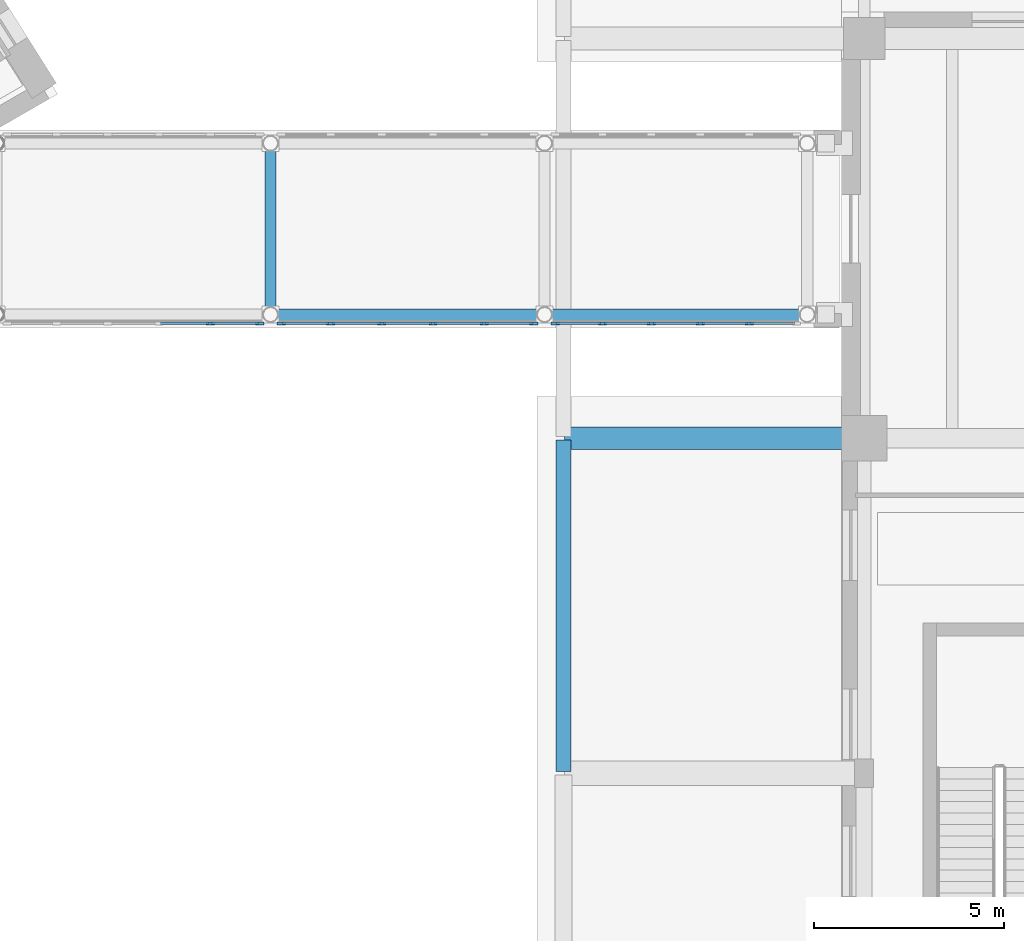
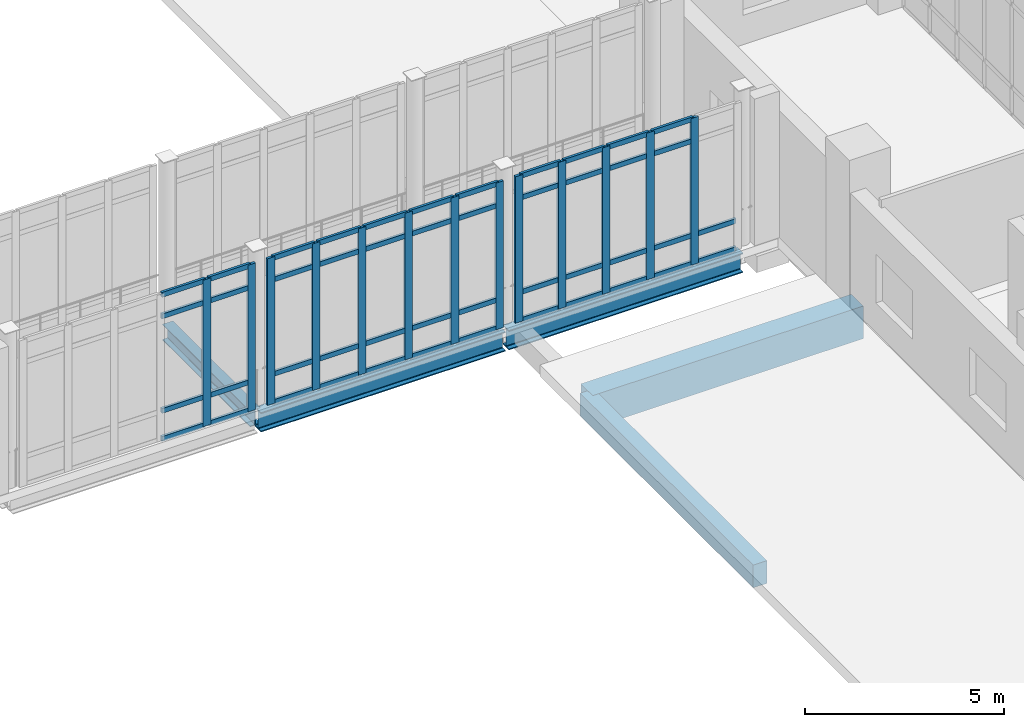
# One storey, part 27 of 75: 59 members, 5 beams, 3 elements without a shape of their own.
"""IFC4 building model written with IfcOpenShell, lengths in metres."""

from ifc_helpers import new_model, si_unit, direction, frame, origin, origin_2d, place, context, subcontext, project, spatial, rectangle, i_section, extrude, material, material_profile, profile_set, type_object, element, aggregate, save


model = new_model("IFC4")

# Units and contexts
model_context = context("Model", 3, precision=1e-05, world=origin(), true_north=direction((0.0, 1.0)))
body_context = subcontext(model_context, "Body", "Model", "MODEL_VIEW")
ifc_project = project(units=[si_unit("LENGTHUNIT", "METRE"), si_unit("AREAUNIT", "SQUARE_METRE"), si_unit("VOLUMEUNIT", "CUBIC_METRE"), si_unit("PLANEANGLEUNIT", "RADIAN"), si_unit("MASSUNIT", "GRAM", prefix="KILO")], contexts=[model_context])

# Site, building, storey
site_placement = place(None, origin())
site = spatial("IfcSite", under=ifc_project, at=site_placement, CompositionType="ELEMENT")
building_placement = place(site_placement, origin())
building = spatial("IfcBuilding", under=site, at=building_placement, Name="Soyqirgoq Riverine Aquarium", CompositionType="ELEMENT")
storey_placement = place(building_placement, frame((0.0, 0.0, 10.199951171875)))
storey = spatial("IfcBuildingStorey", under=building, at=storey_placement, Name="L03", CompositionType="ELEMENT", Elevation=10.199951171875)

# Beam
ifc_material_1 = material(Name="Concrete C40/50", Category="concrete")
ifc_material_profile_1 = material_profile(ifc_material_1, rectangle(XDim=0.39990234375, YDim=0.699951171875, at=origin_2d()), Name="RC 400x700")
ifc_profile_set_1 = profile_set([ifc_material_profile_1], Name="Concrete C40/50")
beam_type_1 = type_object("IfcBeamType", Name="Beam_RC_400x700", PredefinedType="BEAM", material=ifc_profile_set_1)
beam_1_placement = place(storey_placement, frame((114.699951171875, 65.550048828125, -0.699951171875), z_axis=(0.0, 1.0, 0.0), x_axis=(-1.0, 0.0, 0.0)))
element("IfcBeam", 1, at=beam_1_placement, inside=storey, type_object=beam_type_1, Name="V7 L03 North-South Frame Beam 1359", PredefinedType="BEAM", context=body_context, shape_type="SweptSolid", body=[
    extrude(rectangle(XDim=0.39990234375, YDim=0.699951171875, at=origin_2d()), origin(), (0.0, 0.0, 1.0), 8.699951171875),
])

# Curtain wall, members
ifc_material_2 = material(Name="Laminated solar-control bridge curtain wall", Category="aluminium")
curtain_wall_type = type_object("IfcCurtainWallType", Name="CW_Bridge_Concourse", PredefinedType="NOTDEFINED", material=ifc_material_2)
curtain_wall_1_placement = place(storey_placement, origin())
curtain_wall_1 = element("IfcCurtainWall", 2, at=curtain_wall_1_placement, inside=storey, type_object=curtain_wall_type, Name="BR-2 L03 Curtain Wall 141", PredefinedType="NOTDEFINED")
ifc_material_3 = material(Name="Anodised aluminium 6063-T6", Category="aluminium")
ifc_material_profile_2 = material_profile(ifc_material_3, rectangle(XDim=0.080078125, YDim=0.219970703125, at=origin_2d()), Name="ALU-M 80x220")
ifc_profile_set_2 = profile_set([ifc_material_profile_2], Name="Anodised aluminium 6063-T6")
member_type_1 = type_object("IfcMemberType", Name="CWMullion_80x220", PredefinedType="MULLION", material=ifc_profile_set_2)
member_1_placement = place(storey_placement, frame((105.416015625, 77.320068359375, 0.0), z_axis=(0.0, 0.0, 1.0), x_axis=(0.0, 1.0, 0.0)))
member_1 = element("IfcMember", 3, at=member_1_placement, type_object=member_type_1, Name="CW-06 mullion 5", PredefinedType="MULLION", context=body_context, shape_type="SweptSolid", body=[
    extrude(rectangle(XDim=0.080078125, YDim=0.219970703125, at=origin_2d()), origin(), (0.0, 0.0, 1.0), 4.5),
])
member_2_placement = place(storey_placement, frame((106.719970703125, 77.320068359375, 0.0), z_axis=(0.0, 0.0, 1.0), x_axis=(0.0, 1.0, 0.0)))
member_2 = element("IfcMember", 4, at=member_2_placement, type_object=member_type_1, Name="CW-06 mullion 6", PredefinedType="MULLION", context=body_context, shape_type="SweptSolid", body=[
    extrude(rectangle(XDim=0.080078125, YDim=0.219970703125, at=origin_2d()), origin(), (0.0, 0.0, 1.0), 4.5),
])

curtain_wall_2_placement = place(storey_placement, origin())
curtain_wall_2 = element("IfcCurtainWall", 5, at=curtain_wall_2_placement, inside=storey, type_object=curtain_wall_type, Name="BR-2 L03 Curtain Wall 142", PredefinedType="NOTDEFINED")
member_3_placement = place(storey_placement, frame((107.280029296875, 77.320068359375, 0.0), z_axis=(0.0, 0.0, 1.0), x_axis=(0.0, 1.0, 0.0)))
member_3 = element("IfcMember", 6, at=member_3_placement, type_object=member_type_1, Name="CW-06 mullion 1", PredefinedType="MULLION", context=body_context, shape_type="SweptSolid", body=[
    extrude(rectangle(XDim=0.080078125, YDim=0.219970703125, at=origin_2d()), origin(), (0.0, 0.0, 1.0), 4.5),
])
member_4_placement = place(storey_placement, frame((108.583984375, 77.320068359375, 0.0), z_axis=(0.0, 0.0, 1.0), x_axis=(0.0, 1.0, 0.0)))
member_4 = element("IfcMember", 7, at=member_4_placement, type_object=member_type_1, Name="CW-06 mullion 2", PredefinedType="MULLION", context=body_context, shape_type="SweptSolid", body=[
    extrude(rectangle(XDim=0.080078125, YDim=0.219970703125, at=origin_2d()), origin(), (0.0, 0.0, 1.0), 4.5),
])
member_5_placement = place(storey_placement, frame((109.927978515625, 77.320068359375, 0.0), z_axis=(0.0, 0.0, 1.0), x_axis=(0.0, 1.0, 0.0)))
member_5 = element("IfcMember", 8, at=member_5_placement, type_object=member_type_1, Name="CW-06 mullion 3", PredefinedType="MULLION", context=body_context, shape_type="SweptSolid", body=[
    extrude(rectangle(XDim=0.080078125, YDim=0.219970703125, at=origin_2d()), origin(), (0.0, 0.0, 1.0), 4.5),
])
member_6_placement = place(storey_placement, frame((111.27197265625, 77.320068359375, 0.0), z_axis=(0.0, 0.0, 1.0), x_axis=(0.0, 1.0, 0.0)))
member_6 = element("IfcMember", 9, at=member_6_placement, type_object=member_type_1, Name="CW-06 mullion 4", PredefinedType="MULLION", context=body_context, shape_type="SweptSolid", body=[
    extrude(rectangle(XDim=0.080078125, YDim=0.219970703125, at=origin_2d()), origin(), (0.0, 0.0, 1.0), 4.5),
])
member_7_placement = place(storey_placement, frame((112.615966796875, 77.320068359375, 0.0), z_axis=(0.0, 0.0, 1.0), x_axis=(0.0, 1.0, 0.0)))
member_7 = element("IfcMember", 10, at=member_7_placement, type_object=member_type_1, Name="CW-06 mullion 5", PredefinedType="MULLION", context=body_context, shape_type="SweptSolid", body=[
    extrude(rectangle(XDim=0.080078125, YDim=0.219970703125, at=origin_2d()), origin(), (0.0, 0.0, 1.0), 4.5),
])
member_8_placement = place(storey_placement, frame((113.919921875, 77.320068359375, 0.0), z_axis=(0.0, 0.0, 1.0), x_axis=(0.0, 1.0, 0.0)))
member_8 = element("IfcMember", 11, at=member_8_placement, type_object=member_type_1, Name="CW-06 mullion 6", PredefinedType="MULLION", context=body_context, shape_type="SweptSolid", body=[
    extrude(rectangle(XDim=0.080078125, YDim=0.219970703125, at=origin_2d()), origin(), (0.0, 0.0, 1.0), 4.5),
])

curtain_wall_3_placement = place(storey_placement, origin())
curtain_wall_3 = element("IfcCurtainWall", 12, at=curtain_wall_3_placement, inside=storey, type_object=curtain_wall_type, Name="BR-2 L03 Curtain Wall 143", PredefinedType="NOTDEFINED")
member_9_placement = place(storey_placement, frame((114.47998046875, 77.320068359375, 0.0), z_axis=(0.0, 0.0, 1.0), x_axis=(0.0, 1.0, 0.0)))
member_9 = element("IfcMember", 13, at=member_9_placement, type_object=member_type_1, Name="CW-06 mullion 1", PredefinedType="MULLION", context=body_context, shape_type="SweptSolid", body=[
    extrude(rectangle(XDim=0.080078125, YDim=0.219970703125, at=origin_2d()), origin(), (0.0, 0.0, 1.0), 4.5),
])
member_10_placement = place(storey_placement, frame((115.72412109375, 77.320068359375, 0.0), z_axis=(0.0, 0.0, 1.0), x_axis=(0.0, 1.0, 0.0)))
member_10 = element("IfcMember", 14, at=member_10_placement, type_object=member_type_1, Name="CW-06 mullion 2", PredefinedType="MULLION", context=body_context, shape_type="SweptSolid", body=[
    extrude(rectangle(XDim=0.080078125, YDim=0.219970703125, at=origin_2d()), origin(), (0.0, 0.0, 1.0), 4.5),
])
member_11_placement = place(storey_placement, frame((117.008056640625, 77.320068359375, 0.0), z_axis=(0.0, 0.0, 1.0), x_axis=(0.0, 1.0, 0.0)))
member_11 = element("IfcMember", 15, at=member_11_placement, type_object=member_type_1, Name="CW-06 mullion 3", PredefinedType="MULLION", context=body_context, shape_type="SweptSolid", body=[
    extrude(rectangle(XDim=0.080078125, YDim=0.219970703125, at=origin_2d()), origin(), (0.0, 0.0, 1.0), 4.5),
])
member_12_placement = place(storey_placement, frame((118.2919921875, 77.320068359375, 0.0), z_axis=(0.0, 0.0, 1.0), x_axis=(0.0, 1.0, 0.0)))
member_12 = element("IfcMember", 16, at=member_12_placement, type_object=member_type_1, Name="CW-06 mullion 4", PredefinedType="MULLION", context=body_context, shape_type="SweptSolid", body=[
    extrude(rectangle(XDim=0.080078125, YDim=0.219970703125, at=origin_2d()), origin(), (0.0, 0.0, 1.0), 4.5),
])
member_13_placement = place(storey_placement, frame((119.575927734375, 77.320068359375, 0.0), z_axis=(0.0, 0.0, 1.0), x_axis=(0.0, 1.0, 0.0)))
member_13 = element("IfcMember", 17, at=member_13_placement, type_object=member_type_1, Name="CW-06 mullion 5", PredefinedType="MULLION", context=body_context, shape_type="SweptSolid", body=[
    extrude(rectangle(XDim=0.080078125, YDim=0.219970703125, at=origin_2d()), origin(), (0.0, 0.0, 1.0), 4.5),
])

# Member
ifc_material_4 = material(Name="Anodised aluminium 6063-T6", Category="aluminium")
ifc_material_profile_3 = material_profile(ifc_material_4, rectangle(XDim=0.074951171875, YDim=0.14990234375, at=origin_2d()), Name="ALU-T 75x150")
ifc_profile_set_3 = profile_set([ifc_material_profile_3], Name="Anodised aluminium 6063-T6")
member_type_2 = type_object("IfcMemberType", Name="CWTransom_75x150", PredefinedType="USERDEFINED", material=ifc_profile_set_3)
member_14_placement = place(storey_placement, frame((104.112060546875, 77.320068359375, 0.03759765625), z_axis=(1.0, 0.0, 0.0), x_axis=(0.0, 1.0, 0.0)))
member_14 = element("IfcMember", 18, at=member_14_placement, type_object=member_type_2, Name="CW-06 transom 4.1", ObjectType="TRANSOM", PredefinedType="USERDEFINED", context=body_context, shape_type="SweptSolid", body=[
    extrude(rectangle(XDim=0.074951171875, YDim=0.14990234375, at=origin_2d()), origin(), (0.0, 0.0, 1.0), 1.263916015625),
])

member_15_placement = place(storey_placement, frame((104.112060546875, 77.320068359375, 0.900146484375), z_axis=(1.0, 0.0, 0.0), x_axis=(0.0, 1.0, 0.0)))
member_15 = element("IfcMember", 19, at=member_15_placement, type_object=member_type_2, Name="CW-06 transom 4.2", ObjectType="TRANSOM", PredefinedType="USERDEFINED", context=body_context, shape_type="SweptSolid", body=[
    extrude(rectangle(XDim=0.074951171875, YDim=0.14990234375, at=origin_2d()), origin(), (0.0, 0.0, 1.0), 1.263916015625),
])

member_16_placement = place(storey_placement, frame((104.112060546875, 77.320068359375, 3.800048828125), z_axis=(1.0, 0.0, 0.0), x_axis=(0.0, 1.0, 0.0)))
member_16 = element("IfcMember", 20, at=member_16_placement, type_object=member_type_2, Name="CW-06 transom 4.3", ObjectType="TRANSOM", PredefinedType="USERDEFINED", context=body_context, shape_type="SweptSolid", body=[
    extrude(rectangle(XDim=0.074951171875, YDim=0.14990234375, at=origin_2d()), origin(), (0.0, 0.0, 1.0), 1.263916015625),
])

member_17_placement = place(storey_placement, frame((104.112060546875, 77.320068359375, 4.462646484375), z_axis=(1.0, 0.0, 0.0), x_axis=(0.0, 1.0, 0.0)))
member_17 = element("IfcMember", 21, at=member_17_placement, type_object=member_type_2, Name="CW-06 transom 4.4", ObjectType="TRANSOM", PredefinedType="USERDEFINED", context=body_context, shape_type="SweptSolid", body=[
    extrude(rectangle(XDim=0.074951171875, YDim=0.14990234375, at=origin_2d()), origin(), (0.0, 0.0, 1.0), 1.263916015625),
])

member_18_placement = place(storey_placement, frame((105.4560546875, 77.320068359375, 0.03759765625), z_axis=(1.0, 0.0, 0.0), x_axis=(0.0, 1.0, 0.0)))
member_18 = element("IfcMember", 22, at=member_18_placement, type_object=member_type_2, Name="CW-06 transom 5.1", ObjectType="TRANSOM", PredefinedType="USERDEFINED", context=body_context, shape_type="SweptSolid", body=[
    extrude(rectangle(XDim=0.074951171875, YDim=0.14990234375, at=origin_2d()), origin(), (0.0, 0.0, 1.0), 1.223876953125),
])

member_19_placement = place(storey_placement, frame((105.4560546875, 77.320068359375, 0.900146484375), z_axis=(1.0, 0.0, 0.0), x_axis=(0.0, 1.0, 0.0)))
member_19 = element("IfcMember", 23, at=member_19_placement, type_object=member_type_2, Name="CW-06 transom 5.2", ObjectType="TRANSOM", PredefinedType="USERDEFINED", context=body_context, shape_type="SweptSolid", body=[
    extrude(rectangle(XDim=0.074951171875, YDim=0.14990234375, at=origin_2d()), origin(), (0.0, 0.0, 1.0), 1.223876953125),
])

member_20_placement = place(storey_placement, frame((105.4560546875, 77.320068359375, 3.800048828125), z_axis=(1.0, 0.0, 0.0), x_axis=(0.0, 1.0, 0.0)))
member_20 = element("IfcMember", 24, at=member_20_placement, type_object=member_type_2, Name="CW-06 transom 5.3", ObjectType="TRANSOM", PredefinedType="USERDEFINED", context=body_context, shape_type="SweptSolid", body=[
    extrude(rectangle(XDim=0.074951171875, YDim=0.14990234375, at=origin_2d()), origin(), (0.0, 0.0, 1.0), 1.223876953125),
])

member_21_placement = place(storey_placement, frame((105.4560546875, 77.320068359375, 4.462646484375), z_axis=(1.0, 0.0, 0.0), x_axis=(0.0, 1.0, 0.0)))
member_21 = element("IfcMember", 25, at=member_21_placement, type_object=member_type_2, Name="CW-06 transom 5.4", ObjectType="TRANSOM", PredefinedType="USERDEFINED", context=body_context, shape_type="SweptSolid", body=[
    extrude(rectangle(XDim=0.074951171875, YDim=0.14990234375, at=origin_2d()), origin(), (0.0, 0.0, 1.0), 1.223876953125),
])

aggregate(curtain_wall_1, [member_1, member_2, member_14, member_15, member_16, member_17, member_18, member_19, member_20, member_21])

member_22_placement = place(storey_placement, frame((107.320068359375, 77.320068359375, 0.03759765625), z_axis=(1.0, 0.0, 0.0), x_axis=(0.0, 1.0, 0.0)))
member_22 = element("IfcMember", 26, at=member_22_placement, type_object=member_type_2, Name="CW-06 transom 1.1", ObjectType="TRANSOM", PredefinedType="USERDEFINED", context=body_context, shape_type="SweptSolid", body=[
    extrude(rectangle(XDim=0.074951171875, YDim=0.14990234375, at=origin_2d()), origin(), (0.0, 0.0, 1.0), 1.223876953125),
])

member_23_placement = place(storey_placement, frame((107.320068359375, 77.320068359375, 0.900146484375), z_axis=(1.0, 0.0, 0.0), x_axis=(0.0, 1.0, 0.0)))
member_23 = element("IfcMember", 27, at=member_23_placement, type_object=member_type_2, Name="CW-06 transom 1.2", ObjectType="TRANSOM", PredefinedType="USERDEFINED", context=body_context, shape_type="SweptSolid", body=[
    extrude(rectangle(XDim=0.074951171875, YDim=0.14990234375, at=origin_2d()), origin(), (0.0, 0.0, 1.0), 1.223876953125),
])

member_24_placement = place(storey_placement, frame((107.320068359375, 77.320068359375, 3.800048828125), z_axis=(1.0, 0.0, 0.0), x_axis=(0.0, 1.0, 0.0)))
member_24 = element("IfcMember", 28, at=member_24_placement, type_object=member_type_2, Name="CW-06 transom 1.3", ObjectType="TRANSOM", PredefinedType="USERDEFINED", context=body_context, shape_type="SweptSolid", body=[
    extrude(rectangle(XDim=0.074951171875, YDim=0.14990234375, at=origin_2d()), origin(), (0.0, 0.0, 1.0), 1.223876953125),
])

member_25_placement = place(storey_placement, frame((107.320068359375, 77.320068359375, 4.462646484375), z_axis=(1.0, 0.0, 0.0), x_axis=(0.0, 1.0, 0.0)))
member_25 = element("IfcMember", 29, at=member_25_placement, type_object=member_type_2, Name="CW-06 transom 1.4", ObjectType="TRANSOM", PredefinedType="USERDEFINED", context=body_context, shape_type="SweptSolid", body=[
    extrude(rectangle(XDim=0.074951171875, YDim=0.14990234375, at=origin_2d()), origin(), (0.0, 0.0, 1.0), 1.223876953125),
])

member_26_placement = place(storey_placement, frame((108.6240234375, 77.320068359375, 0.03759765625), z_axis=(1.0, 0.0, 0.0), x_axis=(0.0, 1.0, 0.0)))
member_26 = element("IfcMember", 30, at=member_26_placement, type_object=member_type_2, Name="CW-06 transom 2.1", ObjectType="TRANSOM", PredefinedType="USERDEFINED", context=body_context, shape_type="SweptSolid", body=[
    extrude(rectangle(XDim=0.074951171875, YDim=0.14990234375, at=origin_2d()), origin(), (0.0, 0.0, 1.0), 1.263916015625),
])

member_27_placement = place(storey_placement, frame((108.6240234375, 77.320068359375, 0.900146484375), z_axis=(1.0, 0.0, 0.0), x_axis=(0.0, 1.0, 0.0)))
member_27 = element("IfcMember", 31, at=member_27_placement, type_object=member_type_2, Name="CW-06 transom 2.2", ObjectType="TRANSOM", PredefinedType="USERDEFINED", context=body_context, shape_type="SweptSolid", body=[
    extrude(rectangle(XDim=0.074951171875, YDim=0.14990234375, at=origin_2d()), origin(), (0.0, 0.0, 1.0), 1.263916015625),
])

member_28_placement = place(storey_placement, frame((108.6240234375, 77.320068359375, 3.800048828125), z_axis=(1.0, 0.0, 0.0), x_axis=(0.0, 1.0, 0.0)))
member_28 = element("IfcMember", 32, at=member_28_placement, type_object=member_type_2, Name="CW-06 transom 2.3", ObjectType="TRANSOM", PredefinedType="USERDEFINED", context=body_context, shape_type="SweptSolid", body=[
    extrude(rectangle(XDim=0.074951171875, YDim=0.14990234375, at=origin_2d()), origin(), (0.0, 0.0, 1.0), 1.263916015625),
])

member_29_placement = place(storey_placement, frame((108.6240234375, 77.320068359375, 4.462646484375), z_axis=(1.0, 0.0, 0.0), x_axis=(0.0, 1.0, 0.0)))
member_29 = element("IfcMember", 33, at=member_29_placement, type_object=member_type_2, Name="CW-06 transom 2.4", ObjectType="TRANSOM", PredefinedType="USERDEFINED", context=body_context, shape_type="SweptSolid", body=[
    extrude(rectangle(XDim=0.074951171875, YDim=0.14990234375, at=origin_2d()), origin(), (0.0, 0.0, 1.0), 1.263916015625),
])

member_30_placement = place(storey_placement, frame((109.968017578125, 77.320068359375, 0.03759765625), z_axis=(1.0, 0.0, 0.0), x_axis=(0.0, 1.0, 0.0)))
member_30 = element("IfcMember", 34, at=member_30_placement, type_object=member_type_2, Name="CW-06 transom 3.1", ObjectType="TRANSOM", PredefinedType="USERDEFINED", context=body_context, shape_type="SweptSolid", body=[
    extrude(rectangle(XDim=0.074951171875, YDim=0.14990234375, at=origin_2d()), origin(), (0.0, 0.0, 1.0), 1.263916015625),
])

member_31_placement = place(storey_placement, frame((109.968017578125, 77.320068359375, 0.900146484375), z_axis=(1.0, 0.0, 0.0), x_axis=(0.0, 1.0, 0.0)))
member_31 = element("IfcMember", 35, at=member_31_placement, type_object=member_type_2, Name="CW-06 transom 3.2", ObjectType="TRANSOM", PredefinedType="USERDEFINED", context=body_context, shape_type="SweptSolid", body=[
    extrude(rectangle(XDim=0.074951171875, YDim=0.14990234375, at=origin_2d()), origin(), (0.0, 0.0, 1.0), 1.263916015625),
])

member_32_placement = place(storey_placement, frame((109.968017578125, 77.320068359375, 3.800048828125), z_axis=(1.0, 0.0, 0.0), x_axis=(0.0, 1.0, 0.0)))
member_32 = element("IfcMember", 36, at=member_32_placement, type_object=member_type_2, Name="CW-06 transom 3.3", ObjectType="TRANSOM", PredefinedType="USERDEFINED", context=body_context, shape_type="SweptSolid", body=[
    extrude(rectangle(XDim=0.074951171875, YDim=0.14990234375, at=origin_2d()), origin(), (0.0, 0.0, 1.0), 1.263916015625),
])

member_33_placement = place(storey_placement, frame((109.968017578125, 77.320068359375, 4.462646484375), z_axis=(1.0, 0.0, 0.0), x_axis=(0.0, 1.0, 0.0)))
member_33 = element("IfcMember", 37, at=member_33_placement, type_object=member_type_2, Name="CW-06 transom 3.4", ObjectType="TRANSOM", PredefinedType="USERDEFINED", context=body_context, shape_type="SweptSolid", body=[
    extrude(rectangle(XDim=0.074951171875, YDim=0.14990234375, at=origin_2d()), origin(), (0.0, 0.0, 1.0), 1.263916015625),
])

member_34_placement = place(storey_placement, frame((111.31201171875, 77.320068359375, 0.03759765625), z_axis=(1.0, 0.0, 0.0), x_axis=(0.0, 1.0, 0.0)))
member_34 = element("IfcMember", 38, at=member_34_placement, type_object=member_type_2, Name="CW-06 transom 4.1", ObjectType="TRANSOM", PredefinedType="USERDEFINED", context=body_context, shape_type="SweptSolid", body=[
    extrude(rectangle(XDim=0.074951171875, YDim=0.14990234375, at=origin_2d()), origin(), (0.0, 0.0, 1.0), 1.263916015625),
])

member_35_placement = place(storey_placement, frame((111.31201171875, 77.320068359375, 0.900146484375), z_axis=(1.0, 0.0, 0.0), x_axis=(0.0, 1.0, 0.0)))
member_35 = element("IfcMember", 39, at=member_35_placement, type_object=member_type_2, Name="CW-06 transom 4.2", ObjectType="TRANSOM", PredefinedType="USERDEFINED", context=body_context, shape_type="SweptSolid", body=[
    extrude(rectangle(XDim=0.074951171875, YDim=0.14990234375, at=origin_2d()), origin(), (0.0, 0.0, 1.0), 1.263916015625),
])

member_36_placement = place(storey_placement, frame((111.31201171875, 77.320068359375, 3.800048828125), z_axis=(1.0, 0.0, 0.0), x_axis=(0.0, 1.0, 0.0)))
member_36 = element("IfcMember", 40, at=member_36_placement, type_object=member_type_2, Name="CW-06 transom 4.3", ObjectType="TRANSOM", PredefinedType="USERDEFINED", context=body_context, shape_type="SweptSolid", body=[
    extrude(rectangle(XDim=0.074951171875, YDim=0.14990234375, at=origin_2d()), origin(), (0.0, 0.0, 1.0), 1.263916015625),
])

member_37_placement = place(storey_placement, frame((111.31201171875, 77.320068359375, 4.462646484375), z_axis=(1.0, 0.0, 0.0), x_axis=(0.0, 1.0, 0.0)))
member_37 = element("IfcMember", 41, at=member_37_placement, type_object=member_type_2, Name="CW-06 transom 4.4", ObjectType="TRANSOM", PredefinedType="USERDEFINED", context=body_context, shape_type="SweptSolid", body=[
    extrude(rectangle(XDim=0.074951171875, YDim=0.14990234375, at=origin_2d()), origin(), (0.0, 0.0, 1.0), 1.263916015625),
])

member_38_placement = place(storey_placement, frame((112.656005859375, 77.320068359375, 0.03759765625), z_axis=(1.0, 0.0, 0.0), x_axis=(0.0, 1.0, 0.0)))
member_38 = element("IfcMember", 42, at=member_38_placement, type_object=member_type_2, Name="CW-06 transom 5.1", ObjectType="TRANSOM", PredefinedType="USERDEFINED", context=body_context, shape_type="SweptSolid", body=[
    extrude(rectangle(XDim=0.074951171875, YDim=0.14990234375, at=origin_2d()), origin(), (0.0, 0.0, 1.0), 1.223876953125),
])

member_39_placement = place(storey_placement, frame((112.656005859375, 77.320068359375, 0.900146484375), z_axis=(1.0, 0.0, 0.0), x_axis=(0.0, 1.0, 0.0)))
member_39 = element("IfcMember", 43, at=member_39_placement, type_object=member_type_2, Name="CW-06 transom 5.2", ObjectType="TRANSOM", PredefinedType="USERDEFINED", context=body_context, shape_type="SweptSolid", body=[
    extrude(rectangle(XDim=0.074951171875, YDim=0.14990234375, at=origin_2d()), origin(), (0.0, 0.0, 1.0), 1.223876953125),
])

member_40_placement = place(storey_placement, frame((112.656005859375, 77.320068359375, 3.800048828125), z_axis=(1.0, 0.0, 0.0), x_axis=(0.0, 1.0, 0.0)))
member_40 = element("IfcMember", 44, at=member_40_placement, type_object=member_type_2, Name="CW-06 transom 5.3", ObjectType="TRANSOM", PredefinedType="USERDEFINED", context=body_context, shape_type="SweptSolid", body=[
    extrude(rectangle(XDim=0.074951171875, YDim=0.14990234375, at=origin_2d()), origin(), (0.0, 0.0, 1.0), 1.223876953125),
])

member_41_placement = place(storey_placement, frame((112.656005859375, 77.320068359375, 4.462646484375), z_axis=(1.0, 0.0, 0.0), x_axis=(0.0, 1.0, 0.0)))
member_41 = element("IfcMember", 45, at=member_41_placement, type_object=member_type_2, Name="CW-06 transom 5.4", ObjectType="TRANSOM", PredefinedType="USERDEFINED", context=body_context, shape_type="SweptSolid", body=[
    extrude(rectangle(XDim=0.074951171875, YDim=0.14990234375, at=origin_2d()), origin(), (0.0, 0.0, 1.0), 1.223876953125),
])

aggregate(curtain_wall_2, [member_3, member_4, member_5, member_6, member_7, member_8, member_22, member_23, member_24, member_25, member_26, member_27, member_28, member_29, member_30, member_31, member_32, member_33, member_34, member_35, member_36, member_37, member_38, member_39, member_40, member_41])

member_42_placement = place(storey_placement, frame((114.52001953125, 77.320068359375, 0.03759765625), z_axis=(1.0, 0.0, 0.0), x_axis=(0.0, 1.0, 0.0)))
member_42 = element("IfcMember", 46, at=member_42_placement, type_object=member_type_2, Name="CW-06 transom 1.1", ObjectType="TRANSOM", PredefinedType="USERDEFINED", context=body_context, shape_type="SweptSolid", body=[
    extrude(rectangle(XDim=0.074951171875, YDim=0.14990234375, at=origin_2d()), origin(), (0.0, 0.0, 1.0), 1.1640625),
])

member_43_placement = place(storey_placement, frame((114.52001953125, 77.320068359375, 0.900146484375), z_axis=(1.0, 0.0, 0.0), x_axis=(0.0, 1.0, 0.0)))
member_43 = element("IfcMember", 47, at=member_43_placement, type_object=member_type_2, Name="CW-06 transom 1.2", ObjectType="TRANSOM", PredefinedType="USERDEFINED", context=body_context, shape_type="SweptSolid", body=[
    extrude(rectangle(XDim=0.074951171875, YDim=0.14990234375, at=origin_2d()), origin(), (0.0, 0.0, 1.0), 1.1640625),
])

member_44_placement = place(storey_placement, frame((114.52001953125, 77.320068359375, 3.800048828125), z_axis=(1.0, 0.0, 0.0), x_axis=(0.0, 1.0, 0.0)))
member_44 = element("IfcMember", 48, at=member_44_placement, type_object=member_type_2, Name="CW-06 transom 1.3", ObjectType="TRANSOM", PredefinedType="USERDEFINED", context=body_context, shape_type="SweptSolid", body=[
    extrude(rectangle(XDim=0.074951171875, YDim=0.14990234375, at=origin_2d()), origin(), (0.0, 0.0, 1.0), 1.1640625),
])

member_45_placement = place(storey_placement, frame((114.52001953125, 77.320068359375, 4.462646484375), z_axis=(1.0, 0.0, 0.0), x_axis=(0.0, 1.0, 0.0)))
member_45 = element("IfcMember", 49, at=member_45_placement, type_object=member_type_2, Name="CW-06 transom 1.4", ObjectType="TRANSOM", PredefinedType="USERDEFINED", context=body_context, shape_type="SweptSolid", body=[
    extrude(rectangle(XDim=0.074951171875, YDim=0.14990234375, at=origin_2d()), origin(), (0.0, 0.0, 1.0), 1.1640625),
])

member_46_placement = place(storey_placement, frame((115.763916015625, 77.320068359375, 0.03759765625), z_axis=(1.0, 0.0, 0.0), x_axis=(0.0, 1.0, 0.0)))
member_46 = element("IfcMember", 50, at=member_46_placement, type_object=member_type_2, Name="CW-06 transom 2.1", ObjectType="TRANSOM", PredefinedType="USERDEFINED", context=body_context, shape_type="SweptSolid", body=[
    extrude(rectangle(XDim=0.074951171875, YDim=0.14990234375, at=origin_2d()), origin(), (0.0, 0.0, 1.0), 1.2041015625),
])

member_47_placement = place(storey_placement, frame((115.763916015625, 77.320068359375, 0.900146484375), z_axis=(1.0, 0.0, 0.0), x_axis=(0.0, 1.0, 0.0)))
member_47 = element("IfcMember", 51, at=member_47_placement, type_object=member_type_2, Name="CW-06 transom 2.2", ObjectType="TRANSOM", PredefinedType="USERDEFINED", context=body_context, shape_type="SweptSolid", body=[
    extrude(rectangle(XDim=0.074951171875, YDim=0.14990234375, at=origin_2d()), origin(), (0.0, 0.0, 1.0), 1.2041015625),
])

member_48_placement = place(storey_placement, frame((115.763916015625, 77.320068359375, 3.800048828125), z_axis=(1.0, 0.0, 0.0), x_axis=(0.0, 1.0, 0.0)))
member_48 = element("IfcMember", 52, at=member_48_placement, type_object=member_type_2, Name="CW-06 transom 2.3", ObjectType="TRANSOM", PredefinedType="USERDEFINED", context=body_context, shape_type="SweptSolid", body=[
    extrude(rectangle(XDim=0.074951171875, YDim=0.14990234375, at=origin_2d()), origin(), (0.0, 0.0, 1.0), 1.2041015625),
])

member_49_placement = place(storey_placement, frame((115.763916015625, 77.320068359375, 4.462646484375), z_axis=(1.0, 0.0, 0.0), x_axis=(0.0, 1.0, 0.0)))
member_49 = element("IfcMember", 53, at=member_49_placement, type_object=member_type_2, Name="CW-06 transom 2.4", ObjectType="TRANSOM", PredefinedType="USERDEFINED", context=body_context, shape_type="SweptSolid", body=[
    extrude(rectangle(XDim=0.074951171875, YDim=0.14990234375, at=origin_2d()), origin(), (0.0, 0.0, 1.0), 1.2041015625),
])

member_50_placement = place(storey_placement, frame((117.048095703125, 77.320068359375, 0.03759765625), z_axis=(1.0, 0.0, 0.0), x_axis=(0.0, 1.0, 0.0)))
member_50 = element("IfcMember", 54, at=member_50_placement, type_object=member_type_2, Name="CW-06 transom 3.1", ObjectType="TRANSOM", PredefinedType="USERDEFINED", context=body_context, shape_type="SweptSolid", body=[
    extrude(rectangle(XDim=0.074951171875, YDim=0.14990234375, at=origin_2d()), origin(), (0.0, 0.0, 1.0), 1.203857421875),
])

member_51_placement = place(storey_placement, frame((117.048095703125, 77.320068359375, 0.900146484375), z_axis=(1.0, 0.0, 0.0), x_axis=(0.0, 1.0, 0.0)))
member_51 = element("IfcMember", 55, at=member_51_placement, type_object=member_type_2, Name="CW-06 transom 3.2", ObjectType="TRANSOM", PredefinedType="USERDEFINED", context=body_context, shape_type="SweptSolid", body=[
    extrude(rectangle(XDim=0.074951171875, YDim=0.14990234375, at=origin_2d()), origin(), (0.0, 0.0, 1.0), 1.203857421875),
])

member_52_placement = place(storey_placement, frame((117.048095703125, 77.320068359375, 3.800048828125), z_axis=(1.0, 0.0, 0.0), x_axis=(0.0, 1.0, 0.0)))
member_52 = element("IfcMember", 56, at=member_52_placement, type_object=member_type_2, Name="CW-06 transom 3.3", ObjectType="TRANSOM", PredefinedType="USERDEFINED", context=body_context, shape_type="SweptSolid", body=[
    extrude(rectangle(XDim=0.074951171875, YDim=0.14990234375, at=origin_2d()), origin(), (0.0, 0.0, 1.0), 1.203857421875),
])

member_53_placement = place(storey_placement, frame((117.048095703125, 77.320068359375, 4.462646484375), z_axis=(1.0, 0.0, 0.0), x_axis=(0.0, 1.0, 0.0)))
member_53 = element("IfcMember", 57, at=member_53_placement, type_object=member_type_2, Name="CW-06 transom 3.4", ObjectType="TRANSOM", PredefinedType="USERDEFINED", context=body_context, shape_type="SweptSolid", body=[
    extrude(rectangle(XDim=0.074951171875, YDim=0.14990234375, at=origin_2d()), origin(), (0.0, 0.0, 1.0), 1.203857421875),
])

member_54_placement = place(storey_placement, frame((118.33203125, 77.320068359375, 0.03759765625), z_axis=(1.0, 0.0, 0.0), x_axis=(0.0, 1.0, 0.0)))
member_54 = element("IfcMember", 58, at=member_54_placement, type_object=member_type_2, Name="CW-06 transom 4.1", ObjectType="TRANSOM", PredefinedType="USERDEFINED", context=body_context, shape_type="SweptSolid", body=[
    extrude(rectangle(XDim=0.074951171875, YDim=0.14990234375, at=origin_2d()), origin(), (0.0, 0.0, 1.0), 1.203857421875),
])

member_55_placement = place(storey_placement, frame((118.33203125, 77.320068359375, 0.900146484375), z_axis=(1.0, 0.0, 0.0), x_axis=(0.0, 1.0, 0.0)))
member_55 = element("IfcMember", 59, at=member_55_placement, type_object=member_type_2, Name="CW-06 transom 4.2", ObjectType="TRANSOM", PredefinedType="USERDEFINED", context=body_context, shape_type="SweptSolid", body=[
    extrude(rectangle(XDim=0.074951171875, YDim=0.14990234375, at=origin_2d()), origin(), (0.0, 0.0, 1.0), 1.203857421875),
])

member_56_placement = place(storey_placement, frame((118.33203125, 77.320068359375, 3.800048828125), z_axis=(1.0, 0.0, 0.0), x_axis=(0.0, 1.0, 0.0)))
member_56 = element("IfcMember", 60, at=member_56_placement, type_object=member_type_2, Name="CW-06 transom 4.3", ObjectType="TRANSOM", PredefinedType="USERDEFINED", context=body_context, shape_type="SweptSolid", body=[
    extrude(rectangle(XDim=0.074951171875, YDim=0.14990234375, at=origin_2d()), origin(), (0.0, 0.0, 1.0), 1.203857421875),
])

member_57_placement = place(storey_placement, frame((118.33203125, 77.320068359375, 4.462646484375), z_axis=(1.0, 0.0, 0.0), x_axis=(0.0, 1.0, 0.0)))
member_57 = element("IfcMember", 61, at=member_57_placement, type_object=member_type_2, Name="CW-06 transom 4.4", ObjectType="TRANSOM", PredefinedType="USERDEFINED", context=body_context, shape_type="SweptSolid", body=[
    extrude(rectangle(XDim=0.074951171875, YDim=0.14990234375, at=origin_2d()), origin(), (0.0, 0.0, 1.0), 1.203857421875),
])

member_58_placement = place(storey_placement, frame((119.615966796875, 77.320068359375, 0.03759765625), z_axis=(1.0, 0.0, 0.0), x_axis=(0.0, 1.0, 0.0)))
member_58 = element("IfcMember", 62, at=member_58_placement, type_object=member_type_2, Name="CW-06 transom 5.1", ObjectType="TRANSOM", PredefinedType="USERDEFINED", context=body_context, shape_type="SweptSolid", body=[
    extrude(rectangle(XDim=0.074951171875, YDim=0.14990234375, at=origin_2d()), origin(), (0.0, 0.0, 1.0), 1.1640625),
])

member_59_placement = place(storey_placement, frame((119.615966796875, 77.320068359375, 0.900146484375), z_axis=(1.0, 0.0, 0.0), x_axis=(0.0, 1.0, 0.0)))
member_59 = element("IfcMember", 63, at=member_59_placement, type_object=member_type_2, Name="CW-06 transom 5.2", ObjectType="TRANSOM", PredefinedType="USERDEFINED", context=body_context, shape_type="SweptSolid", body=[
    extrude(rectangle(XDim=0.074951171875, YDim=0.14990234375, at=origin_2d()), origin(), (0.0, 0.0, 1.0), 1.1640625),
])

aggregate(curtain_wall_3, [member_9, member_10, member_11, member_12, member_13, member_42, member_43, member_44, member_45, member_46, member_47, member_48, member_49, member_50, member_51, member_52, member_53, member_54, member_55, member_56, member_57, member_58, member_59])

# Beams
ifc_material_5 = material(Name="Concrete C40/50", Category="concrete")
ifc_material_profile_4 = material_profile(ifc_material_5, rectangle(XDim=0.60009765625, YDim=1.0, at=origin_2d()), Name="RC 600x1000")
ifc_profile_set_4 = profile_set([ifc_material_profile_4], Name="Concrete C40/50")
beam_type_2 = type_object("IfcBeamType", Name="Girder_RC_600x1000", PredefinedType="BEAM", material=ifc_profile_set_4)
beam_2_placement = place(storey_placement, frame((114.719970703125, 74.300048828125, -0.849853515625), z_axis=(1.0, 0.0, 0.0), x_axis=(0.0, 1.0, 0.0)))
element("IfcBeam", 64, at=beam_2_placement, inside=storey, type_object=beam_type_2, Name="V7 L03 East-West Frame Girder 1362", PredefinedType="BEAM", context=body_context, shape_type="SweptSolid", body=[
    extrude(rectangle(XDim=0.60009765625, YDim=1.0, at=origin_2d()), origin(), (0.0, 0.0, 1.0), 7.860107421875),
])
ifc_material_6 = material(Name="Structural steel S355", Category="steel")
ifc_material_profile_5 = material_profile(ifc_material_6, i_section(OverallWidth=0.300048828125, OverallDepth=0.489990234375, WebThickness=0.011962890625, FlangeThickness=0.02294921875, FilletRadius=0.027099609375, at=origin_2d()), Name="HEA 500")
ifc_profile_set_5 = profile_set([ifc_material_profile_5], Name="Structural steel S355")
beam_type_3 = type_object("IfcBeamType", Name="SteelBeam_HEA500", PredefinedType="BEAM", material=ifc_profile_set_5)
beam_3_placement = place(storey_placement, frame((107.0, 77.60009765625, -0.494873046875), z_axis=(0.0, 1.0, 0.0), x_axis=(-1.0, 0.0, 0.0)))
element("IfcBeam", 65, at=beam_3_placement, inside=storey, type_object=beam_type_3, Name="BR-2 L03 Bridge Cross Transom 1467", PredefinedType="BEAM", context=body_context, shape_type="SweptSolid", body=[
    extrude(i_section(OverallWidth=0.300048828125, OverallDepth=0.489990234375, WebThickness=0.011962890625, FlangeThickness=0.02294921875, FilletRadius=0.027099609375, at=origin_2d()), origin(), (0.0, 0.0, 1.0), 4.39990234375),
])
ifc_material_7 = material(Name="Structural steel S355", Category="steel")
ifc_material_profile_6 = material_profile(ifc_material_7, i_section(OverallWidth=0.300048828125, OverallDepth=0.60009765625, WebThickness=0.015380859375, FlangeThickness=0.030029296875, FilletRadius=0.027099609375, at=origin_2d()), Name="HEB 600")
ifc_profile_set_6 = profile_set([ifc_material_profile_6], Name="Structural steel S355")
beam_type_4 = type_object("IfcBeamType", Name="SteelGirder_HEB600", PredefinedType="BEAM", material=ifc_profile_set_6)
beam_4_placement = place(storey_placement, frame((107.050048828125, 77.550048828125, -0.550048828125), z_axis=(1.0, 0.0, 0.0), x_axis=(0.0, 1.0, 0.0)))
element("IfcBeam", 66, at=beam_4_placement, inside=storey, type_object=beam_type_4, Name="BR-2 L03 Bridge Deck Longitudinal Girder 1452", PredefinedType="BEAM", context=body_context, shape_type="SweptSolid", body=[
    extrude(i_section(OverallWidth=0.300048828125, OverallDepth=0.60009765625, WebThickness=0.015380859375, FlangeThickness=0.030029296875, FilletRadius=0.027099609375, at=origin_2d()), origin(), (0.0, 0.0, 1.0), 7.099853515625),
])
beam_5_placement = place(storey_placement, frame((114.25, 77.550048828125, -0.550048828125), z_axis=(1.0, 0.0, 0.0), x_axis=(0.0, 1.0, 0.0)))
element("IfcBeam", 67, at=beam_5_placement, inside=storey, type_object=beam_type_4, Name="BR-2 L03 Bridge Deck Longitudinal Girder 1454", PredefinedType="BEAM", context=body_context, shape_type="SweptSolid", body=[
    extrude(i_section(OverallWidth=0.300048828125, OverallDepth=0.60009765625, WebThickness=0.015380859375, FlangeThickness=0.030029296875, FilletRadius=0.027099609375, at=origin_2d()), origin(), (0.0, 0.0, 1.0), 6.800048828125),
])

save(model, "model.ifc")
